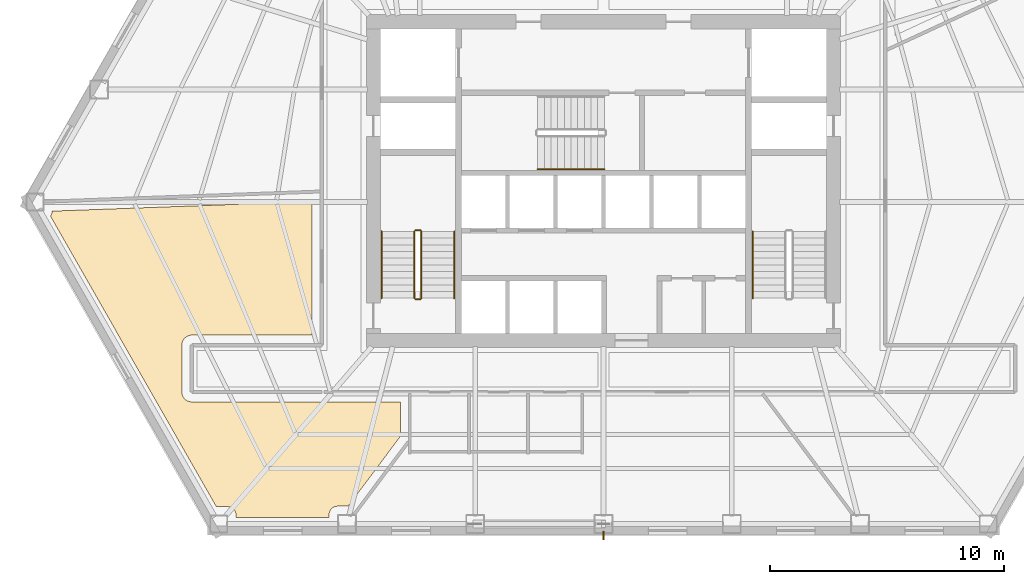
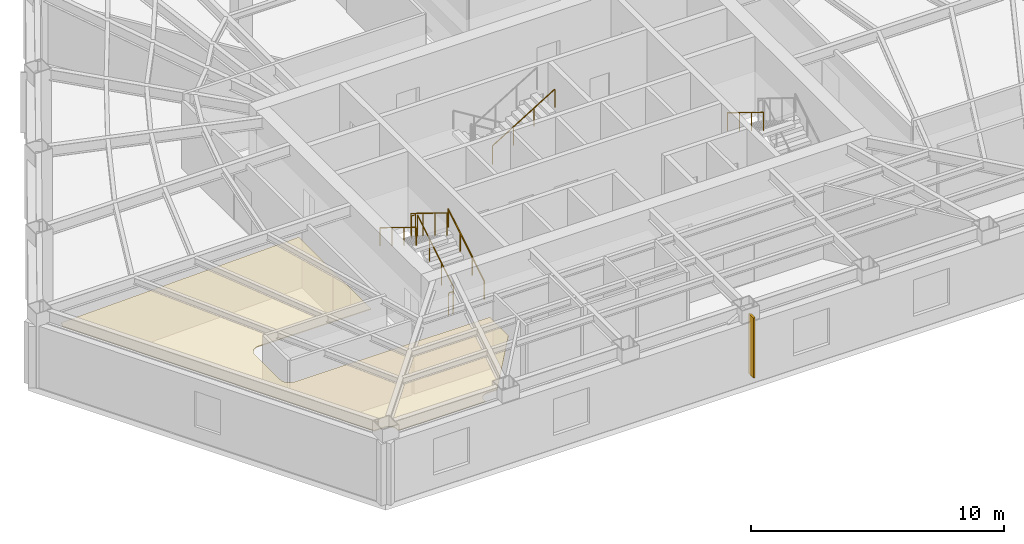
# One storey, part 9 of 11: 8 railings, 1 covering, 1 shading device.
"""IFC4 building model written with IfcOpenShell, lengths in metres."""

from ifc_helpers import new_model, si_unit, direction, frame, origin, origin_2d, place, context, subcontext, project, spatial, polyline, rectangle, circle, outline, extrude, material, layer, layer_set, type_object, element, save


model = new_model("IFC4")

# Units and contexts
model_context = context("Model", 3, precision=1e-05, world=origin(), true_north=direction((0.0, 1.0)))
body_context = subcontext(model_context, "Body", "Model", "MODEL_VIEW")
ifc_project = project(units=[si_unit("LENGTHUNIT", "METRE"), si_unit("AREAUNIT", "SQUARE_METRE"), si_unit("VOLUMEUNIT", "CUBIC_METRE"), si_unit("PLANEANGLEUNIT", "RADIAN"), si_unit("MASSUNIT", "GRAM", prefix="KILO")], contexts=[model_context])

# Site, building, storey
site_placement = place(None, origin())
site = spatial("IfcSite", under=ifc_project, at=site_placement, CompositionType="ELEMENT")
building_placement = place(site_placement, origin())
building = spatial("IfcBuilding", under=site, at=building_placement, Name="Kavelnor Concourse Tower", CompositionType="ELEMENT")
storey_placement = place(building_placement, frame((0.0, 0.0, 25.25)))
storey = spatial("IfcBuildingStorey", under=building, at=storey_placement, Name="L06", CompositionType="ELEMENT", Elevation=25.25)

# Covering
ifc_material_1 = material(Name="Mineral fibre acoustic ceiling tile")
ifc_layer_1 = layer(ifc_material_1, 0.0400390625, Name="Mineral fibre acoustic ceiling tile")
ifc_layer_set_1 = layer_set([ifc_layer_1], Name="Mineral fibre acoustic ceiling tile")
covering_type = type_object("IfcCoveringType", Name="COV-CEILING-ACOUSTIC", PredefinedType="CEILING", material=ifc_layer_set_1)
covering_placement = place(storey_placement, frame((0.0, 0.0, 2.75)))
element("IfcCovering", 1, at=covering_placement, inside=storey, type_object=covering_type, Name="L06 Suspended Acoustic Ceiling", PredefinedType="CEILING", context=body_context, shape_type="SweptSolid", body=[
    extrude(outline(polyline([(14.412353515625, 14.6259765625), (14.430419921875, 14.65625), (14.445556640625, 14.688232421875), (14.45751953125, 14.7216796875), (14.466064453125, 14.755859375), (14.47119140625, 14.791015625), (14.47265625, 14.81787109375), (14.47265625, 14.818115234375), (25.5576171875, 15.226318359375), (25.5576171875, 9.5224609375), (20.422119140625, 9.5224609375), (20.388916015625, 9.52099609375), (20.347900390625, 9.514892578125), (20.3076171875, 9.504638671875), (20.2685546875, 9.49072265625), (20.23095703125, 9.472900390625), (20.1953125, 9.45166015625), (20.162109375, 9.427001953125), (20.13134765625, 9.39892578125), (20.103515625, 9.368408203125), (20.07861328125, 9.3349609375), (20.057373046875, 9.29931640625), (20.03955078125, 9.26171875), (20.025634765625, 9.222900390625), (20.015380859375, 9.1826171875), (20.009521484375, 9.1416015625), (20.0078125, 9.1083984375), (20.0078125, 7.091796875), (20.009521484375, 7.05859375), (20.015380859375, 7.017578125), (20.025634765625, 6.977294921875), (20.03955078125, 6.938232421875), (20.057373046875, 6.900634765625), (20.07861328125, 6.864990234375), (20.103515625, 6.831787109375), (20.13134765625, 6.801025390625), (20.162109375, 6.773193359375), (20.1953125, 6.748291015625), (20.23095703125, 6.72705078125), (20.2685546875, 6.709228515625), (20.3076171875, 6.6953125), (20.347900390625, 6.685302734375), (20.388916015625, 6.67919921875), (20.422119140625, 6.677490234375), (25.98828125, 6.677490234375), (26.021484375, 6.67919921875), (26.030029296875, 6.680419921875), (26.03857421875, 6.67919921875), (26.07177734375, 6.677490234375), (29.3349609375, 6.677490234375), (29.3349609375, 5.208740234375), (27.1015625, 2.222900390625), (26.64306640625, 2.222900390625), (26.615966796875, 2.2216796875), (26.5810546875, 2.21630859375), (26.546630859375, 2.207763671875), (26.513427734375, 2.19580078125), (26.4814453125, 2.180908203125), (26.451171875, 2.16259765625), (26.422607421875, 2.1416015625), (26.396484375, 2.11767578125), (26.372802734375, 2.091552734375), (26.3515625, 2.06298828125), (26.33349609375, 2.03271484375), (26.318359375, 2.000732421875), (26.306396484375, 1.967529296875), (26.2978515625, 1.93310546875), (26.29248046875, 1.898193359375), (26.291259765625, 1.87109375), (26.291259765625, 1.742919921875), (22.31689453125, 1.742919921875), (22.31689453125, 1.851318359375), (22.315673828125, 1.878173828125), (22.310302734375, 1.9130859375), (22.3017578125, 1.947509765625), (22.289794921875, 1.980712890625), (22.27490234375, 2.0126953125), (22.256591796875, 2.043212890625), (22.235595703125, 2.071533203125), (22.211669921875, 2.09765625), (22.185546875, 2.12158203125), (22.156982421875, 2.142578125), (22.126708984375, 2.160888671875), (22.0947265625, 2.17578125), (22.0615234375, 2.187744140625), (22.027099609375, 2.1962890625), (21.9921875, 2.20166015625), (21.965087890625, 2.202880859375), (21.476806640625, 2.202880859375), (14.3974609375, 14.606201171875), (14.412353515625, 14.6259765625)])), origin(), (0.0, 0.0, 1.0), 0.0400390625),
])

# Railings
ifc_material_2 = material(Name="Steel Grade 350", Category="steel")
railing_type_1 = type_object("IfcRailingType", Name="RLG-GUARD-1100", PredefinedType="GUARDRAIL", material=ifc_material_2)
railing_1_placement = place(storey_placement, frame((30.22998046875, 11.10009765625, 0.175048828125)))
element("IfcRailing", 2, at=railing_1_placement, inside=storey, type_object=railing_type_1, Name="L06 ST1 stair guard 1", PredefinedType="GUARDRAIL", context=body_context, shape_type="SweptSolid", body=[
    extrude(circle(Radius=0.02392578125, at=origin_2d()), frame((0.0, 0.0, 1.076171875), z_axis=(0.0, 0.852159232446, 0.523282564737), x_axis=(-1.0, 0.0, 0.0)), (0.0, 0.0, 1.0), 3.34423828125),
    extrude(circle(Radius=0.02099609375, at=origin_2d()), origin(), (0.0, 0.0, 1.0), 1.052001953125),
    extrude(circle(Radius=0.02099609375, at=origin_2d()), frame((0.0, 0.949951171875, 0.583251953125)), (0.0, 0.0, 1.0), 1.052001953125),
    extrude(circle(Radius=0.02099609375, at=origin_2d()), frame((0.0, 1.89990234375, 1.166748046875)), (0.0, 0.0, 1.0), 1.052001953125),
    extrude(circle(Radius=0.02099609375, at=origin_2d()), frame((0.0, 2.849853515625, 1.75)), (0.0, 0.0, 1.0), 1.052001953125),
])
railing_2_placement = place(storey_placement, frame((30.179931640625, 14.0, 1.925048828125)))
element("IfcRailing", 3, at=railing_2_placement, inside=storey, type_object=railing_type_1, Name="L06 ST1 stair guard 2", PredefinedType="GUARDRAIL", context=body_context, shape_type="SweptSolid", body=[
    extrude(circle(Radius=0.02392578125, at=origin_2d()), frame((0.0, 0.0, 1.076171875), z_axis=(-1.0, 0.0, 0.0), x_axis=(0.0, -1.0, 0.0)), (0.0, 0.0, 1.0), 0.199951171875),
    extrude(circle(Radius=0.02099609375, at=origin_2d()), origin(), (0.0, 0.0, 1.0), 1.052001953125),
    extrude(circle(Radius=0.02099609375, at=origin_2d()), frame((-0.199951171875, 0.0, 0.0)), (0.0, 0.0, 1.0), 1.052001953125),
])
railing_3_placement = place(storey_placement, frame((29.929931640625, 13.949951171875, 2.10009765625)))
element("IfcRailing", 4, at=railing_3_placement, inside=storey, type_object=railing_type_1, Name="L06 ST1 stair guard 3", PredefinedType="GUARDRAIL", context=body_context, shape_type="SweptSolid", body=[
    extrude(circle(Radius=0.02392578125, at=origin_2d()), frame((0.0, 0.0, 1.076171875), z_axis=(0.0, -0.852159232446, 0.523282564737), x_axis=(1.0, 0.0, 0.0)), (0.0, 0.0, 1.0), 3.34423828125),
    extrude(circle(Radius=0.02099609375, at=origin_2d()), origin(), (0.0, 0.0, 1.0), 1.052001953125),
    extrude(circle(Radius=0.02099609375, at=origin_2d()), frame((0.0, -0.949951171875, 0.583251953125)), (0.0, 0.0, 1.0), 1.052001953125),
    extrude(circle(Radius=0.02099609375, at=origin_2d()), frame((0.0, -1.89990234375, 1.166748046875)), (0.0, 0.0, 1.0), 1.052001953125),
    extrude(circle(Radius=0.02099609375, at=origin_2d()), frame((0.0, -2.849853515625, 1.75)), (0.0, 0.0, 1.0), 1.052001953125),
])
railing_4_placement = place(storey_placement, frame((30.179931640625, 11.050048828125, 0.0)))
element("IfcRailing", 5, at=railing_4_placement, inside=storey, type_object=railing_type_1, Name="L06 ST1 stair guard 4", PredefinedType="GUARDRAIL", context=body_context, shape_type="SweptSolid", body=[
    extrude(circle(Radius=0.02392578125, at=origin_2d()), frame((0.0, 0.0, 1.076171875), z_axis=(-1.0, 0.0, 0.0), x_axis=(0.0, -1.0, 0.0)), (0.0, 0.0, 1.0), 0.199951171875),
    extrude(circle(Radius=0.02099609375, at=origin_2d()), origin(), (0.0, 0.0, 1.0), 1.052001953125),
    extrude(circle(Radius=0.02099609375, at=origin_2d()), frame((-0.199951171875, 0.0, 0.0)), (0.0, 0.0, 1.0), 1.052001953125),
])
railing_type_2 = type_object("IfcRailingType", Name="RLG-HANDRAIL-900", PredefinedType="HANDRAIL", material=ifc_material_2)
railing_5_placement = place(storey_placement, frame((31.6298828125, 11.10009765625, 0.175048828125)))
element("IfcRailing", 6, at=railing_5_placement, inside=storey, type_object=railing_type_2, Name="L06 ST1 stair handrail 1", PredefinedType="HANDRAIL", context=body_context, shape_type="SweptSolid", body=[
    extrude(circle(Radius=0.02392578125, at=origin_2d()), frame((0.0, 0.0, 0.8759765625), z_axis=(0.0, 0.852159232446, 0.523282564737), x_axis=(-1.0, 0.0, 0.0)), (0.0, 0.0, 1.0), 3.34423828125),
    extrude(circle(Radius=0.02099609375, at=origin_2d()), origin(), (0.0, 0.0, 1.0), 0.851806640625),
    extrude(circle(Radius=0.02099609375, at=origin_2d()), frame((0.0, 0.949951171875, 0.583251953125)), (0.0, 0.0, 1.0), 0.851806640625),
    extrude(circle(Radius=0.02099609375, at=origin_2d()), frame((0.0, 1.89990234375, 1.166748046875)), (0.0, 0.0, 1.0), 0.851806640625),
    extrude(circle(Radius=0.02099609375, at=origin_2d()), frame((0.0, 2.849853515625, 1.75)), (0.0, 0.0, 1.0), 0.851806640625),
])
for number, where, name in (
    (7, (28.530029296875, 13.949951171875, 2.10009765625), "L06 ST1 stair handrail 2"),
    (8, (44.3701171875, 13.949951171875, 2.10009765625), "L06 ST2 stair handrail 2"),
):
    element("IfcRailing", number, at=place(storey_placement, frame(where)), inside=storey, type_object=railing_type_2, Name=name, PredefinedType="HANDRAIL", context=body_context, shape_type="SweptSolid", body=[
        extrude(circle(Radius=0.02392578125, at=origin_2d()), frame((0.0, 0.0, 0.8759765625), z_axis=(0.0, -0.852159232446, 0.523282564737), x_axis=(1.0, 0.0, 0.0)), (0.0, 0.0, 1.0), 3.34423828125),
        extrude(circle(Radius=0.02099609375, at=origin_2d()), origin(), (0.0, 0.0, 1.0), 0.851806640625),
        extrude(circle(Radius=0.02099609375, at=origin_2d()), frame((0.0, -0.949951171875, 0.583251953125)), (0.0, 0.0, 1.0), 0.851806640625),
        extrude(circle(Radius=0.02099609375, at=origin_2d()), frame((0.0, -1.89990234375, 1.166748046875)), (0.0, 0.0, 1.0), 0.851806640625),
        extrude(circle(Radius=0.02099609375, at=origin_2d()), frame((0.0, -2.849853515625, 1.75)), (0.0, 0.0, 1.0), 0.851806640625),
    ])
railing_6_placement = place(storey_placement, frame((35.18994140625, 16.610107421875, 2.10009765625)))
element("IfcRailing", 9, at=railing_6_placement, inside=storey, type_object=railing_type_2, Name="L06 ST3 stair handrail 2", PredefinedType="HANDRAIL", context=body_context, shape_type="SweptSolid", body=[
    extrude(circle(Radius=0.02392578125, at=origin_2d()), frame((0.0, 0.0, 0.8759765625), z_axis=(0.852179220489, 0.0, 0.52325001306), x_axis=(0.0, 1.0, 0.0)), (0.0, 0.0, 1.0), 3.344482421875),
    extrude(circle(Radius=0.02099609375, at=origin_2d()), origin(), (0.0, 0.0, 1.0), 0.851806640625),
    extrude(circle(Radius=0.02099609375, at=origin_2d()), frame((0.949951171875, 0.0, 0.583251953125)), (0.0, 0.0, 1.0), 0.851806640625),
    extrude(circle(Radius=0.02099609375, at=origin_2d()), frame((1.900146484375, 0.0, 1.166748046875)), (0.0, 0.0, 1.0), 0.851806640625),
    extrude(circle(Radius=0.02099609375, at=origin_2d()), frame((2.85009765625, 0.0, 1.75)), (0.0, 0.0, 1.0), 0.851806640625),
])

# Shading device
ifc_material_3 = material(Name="Architectural bronze-anodised aluminium", Category="aluminium")
ifc_layer_2 = layer(ifc_material_3, 0.06005859375, Name="Architectural bronze-anodised aluminium")
ifc_layer_set_2 = layer_set([ifc_layer_2], Name="Architectural bronze-anodised aluminium")
shading_device_type = type_object("IfcShadingDeviceType", Name="SHD-SOLAR-FIN", PredefinedType="JALOUSIE", material=ifc_layer_set_2)
shading_device_placement = place(storey_placement, frame((38.0, 0.972900390625, 0.400146484375), z_axis=(0.0, 0.0, 1.0), x_axis=(0.0, -1.0, 0.0)))
element("IfcShadingDevice", 10, at=shading_device_placement, inside=storey, type_object=shading_device_type, Name="L06 Bronze Pier Solar Fin F1", PredefinedType="JALOUSIE", context=body_context, shape_type="SweptSolid", body=[
    extrude(rectangle(XDim=0.3798828125, YDim=0.080078125, at=origin_2d()), origin(), (0.0, 0.0, 1.0), 2.89990234375),
])

save(model, "model.ifc")
